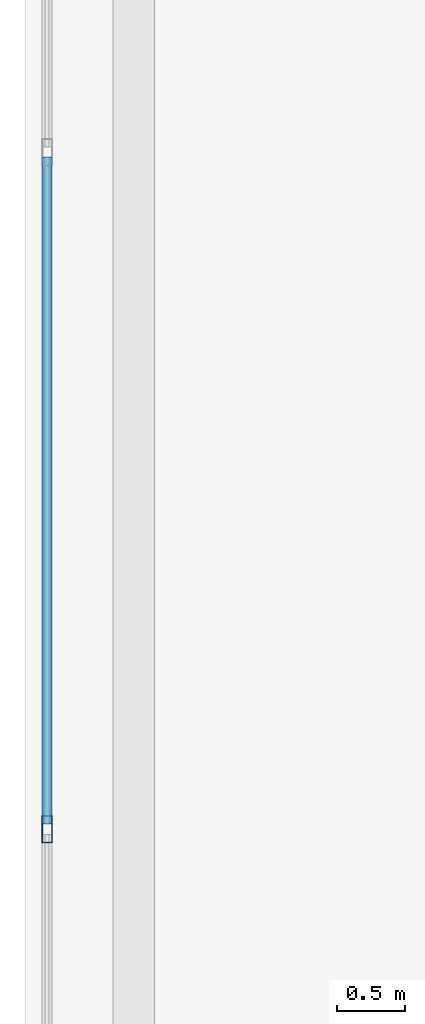
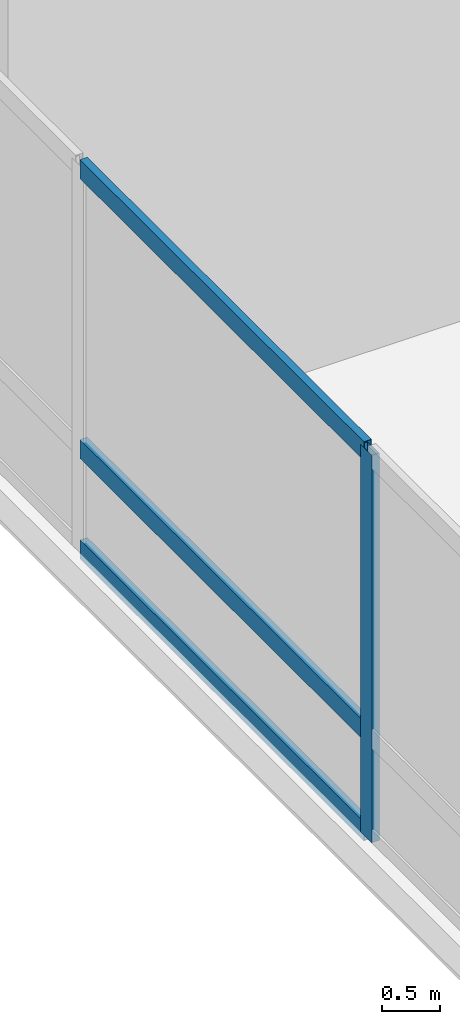
# One storey, part 4 of 31: 4 members, 1 element without a shape of its own.
"""IFC4 building model written with IfcOpenShell, lengths in metres."""

from ifc_helpers import new_model, si_unit, direction, frame, origin, origin_2d, place, context, subcontext, project, spatial, hollow_rectangle, extrude, material, layer, layer_set, material_profile, profile_set, type_object, element, aggregate, save


model = new_model("IFC4")

# Units and contexts
model_context = context("Model", 3, precision=1e-05, world=origin(), true_north=direction((0.0, 1.0)))
body_context = subcontext(model_context, "Body", "Model", "MODEL_VIEW")
ifc_project = project(units=[si_unit("LENGTHUNIT", "METRE"), si_unit("AREAUNIT", "SQUARE_METRE"), si_unit("VOLUMEUNIT", "CUBIC_METRE"), si_unit("PLANEANGLEUNIT", "RADIAN"), si_unit("MASSUNIT", "GRAM", prefix="KILO")], contexts=[model_context])

# Site, building, storey
site_placement = place(None, origin())
site = spatial("IfcSite", under=ifc_project, at=site_placement, CompositionType="ELEMENT")
building_placement = place(site_placement, origin())
building = spatial("IfcBuilding", under=site, at=building_placement, Name="Varnelok Gate Tower", CompositionType="ELEMENT")
storey_placement = place(building_placement, frame((0.0, 0.0, 21.60009765625)))
storey = spatial("IfcBuildingStorey", under=building, at=storey_placement, Name="L04", CompositionType="ELEMENT", Elevation=21.60009765625)

# Curtain wall, members
ifc_material = material(Name="Anodized Aluminum Alloy 6063-T6", Category="aluminium")
ifc_layer = layer(ifc_material, 0.179931640625)
ifc_layer_set = layer_set([ifc_layer], Name="Anodized Aluminum Alloy 6063-T6")
curtain_wall_type = type_object("IfcCurtainWallType", Name="CW1-ARCH-PORTAL", PredefinedType="USERDEFINED", material=ifc_layer_set)
curtain_wall_placement = place(storey_placement, origin())
curtain_wall = element("IfcCurtainWall", 1, at=curtain_wall_placement, inside=storey, type_object=curtain_wall_type, Name="L04 Podium Portal Curtain Wall W", ObjectType="UNITISED CURTAIN WALL", PredefinedType="USERDEFINED")
ifc_material_profile_1 = material_profile(ifc_material, hollow_rectangle(XDim=0.074951171875, YDim=0.199951171875, WallThickness=0.00390625, at=origin_2d()), Name="ALU200X75X4")
ifc_profile_set_1 = profile_set([ifc_material_profile_1], Name="Anodized Aluminum Alloy 6063-T6")
member_type_1 = type_object("IfcMemberType", Name="CW-MULL-200", PredefinedType="MULLION", material=ifc_profile_set_1)
member_1_placement = place(storey_placement, frame((0.159912109375, 20.199951171875, 0.0), z_axis=(0.0, 0.0, 1.0), x_axis=(-1.0, 0.0, 0.0)))
member_1 = element("IfcMember", 2, at=member_1_placement, type_object=member_type_1, Name="CW1 mullion 2", PredefinedType="MULLION", context=body_context, shape_type="SweptSolid", body=[
    extrude(hollow_rectangle(XDim=0.074951171875, YDim=0.199951171875, WallThickness=0.00390625, at=origin_2d()), origin(), (0.0, 0.0, 1.0), 4.099853515625),
])
ifc_material_profile_2 = material_profile(ifc_material, hollow_rectangle(XDim=0.074951171875, YDim=0.199951171875, WallThickness=0.00390625, at=origin_2d()), Name="ALU200X75X4")
ifc_profile_set_2 = profile_set([ifc_material_profile_2], Name="Anodized Aluminum Alloy 6063-T6")
member_type_2 = type_object("IfcMemberType", Name="CW-TRAN-200", PredefinedType="USERDEFINED", material=ifc_profile_set_2)
member_2_placement = place(storey_placement, frame((0.159912109375, 20.237548828125, 0.037353515625), z_axis=(0.0, 1.0, 0.0), x_axis=(-1.0, 0.0, 0.0)))
member_2 = element("IfcMember", 3, at=member_2_placement, type_object=member_type_2, Name="CW1 transom 2.1", ObjectType="TRANSOM", PredefinedType="USERDEFINED", context=body_context, shape_type="SweptSolid", body=[
    extrude(hollow_rectangle(XDim=0.074951171875, YDim=0.199951171875, WallThickness=0.00390625, at=origin_2d()), origin(), (0.0, 0.0, 1.0), 4.925048828125),
])
member_3_placement = place(storey_placement, frame((0.159912109375, 20.237548828125, 1.099853515625), z_axis=(0.0, 1.0, 0.0), x_axis=(-1.0, 0.0, 0.0)))
member_3 = element("IfcMember", 4, at=member_3_placement, type_object=member_type_2, Name="CW1 transom 2.2", ObjectType="TRANSOM", PredefinedType="USERDEFINED", context=body_context, shape_type="SweptSolid", body=[
    extrude(hollow_rectangle(XDim=0.074951171875, YDim=0.199951171875, WallThickness=0.00390625, at=origin_2d()), origin(), (0.0, 0.0, 1.0), 4.925048828125),
])
member_4_placement = place(storey_placement, frame((0.159912109375, 20.237548828125, 4.0625), z_axis=(0.0, 1.0, 0.0), x_axis=(-1.0, 0.0, 0.0)))
member_4 = element("IfcMember", 5, at=member_4_placement, type_object=member_type_2, Name="CW1 transom 2.3", ObjectType="TRANSOM", PredefinedType="USERDEFINED", context=body_context, shape_type="SweptSolid", body=[
    extrude(hollow_rectangle(XDim=0.074951171875, YDim=0.199951171875, WallThickness=0.00390625, at=origin_2d()), origin(), (0.0, 0.0, 1.0), 4.925048828125),
])
aggregate(curtain_wall, [member_1, member_2, member_3, member_4])

save(model, "model.ifc")
